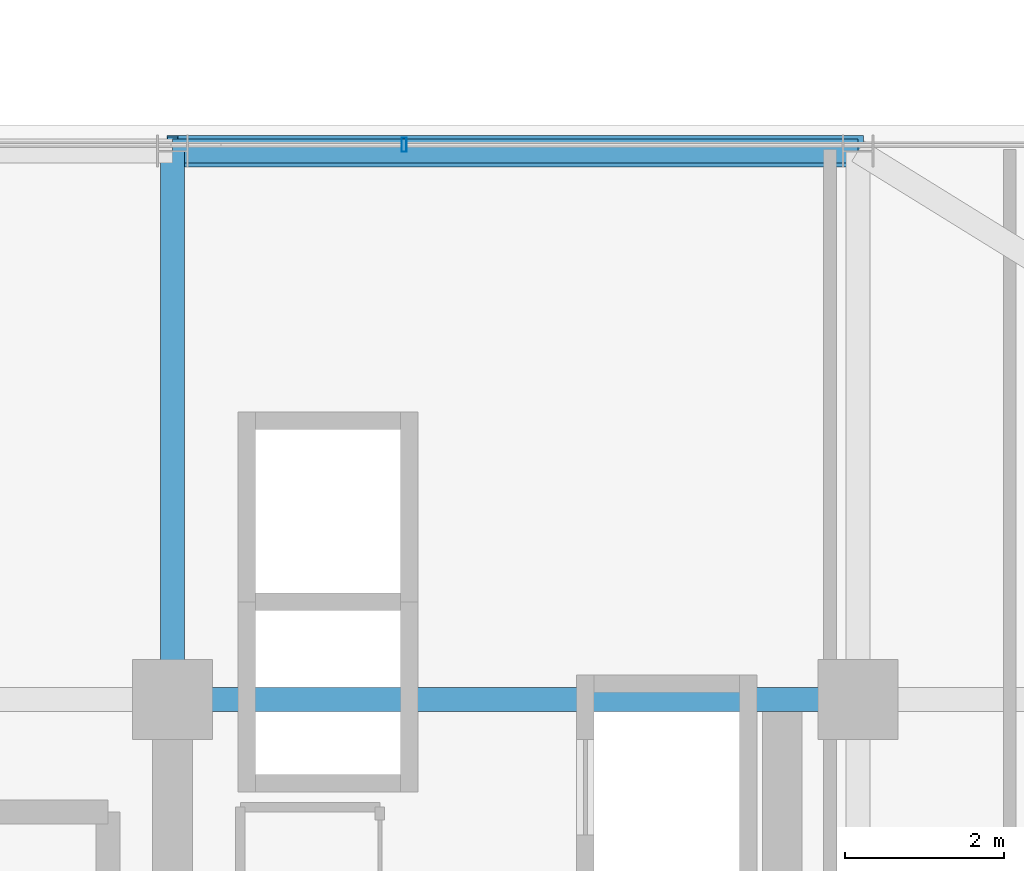
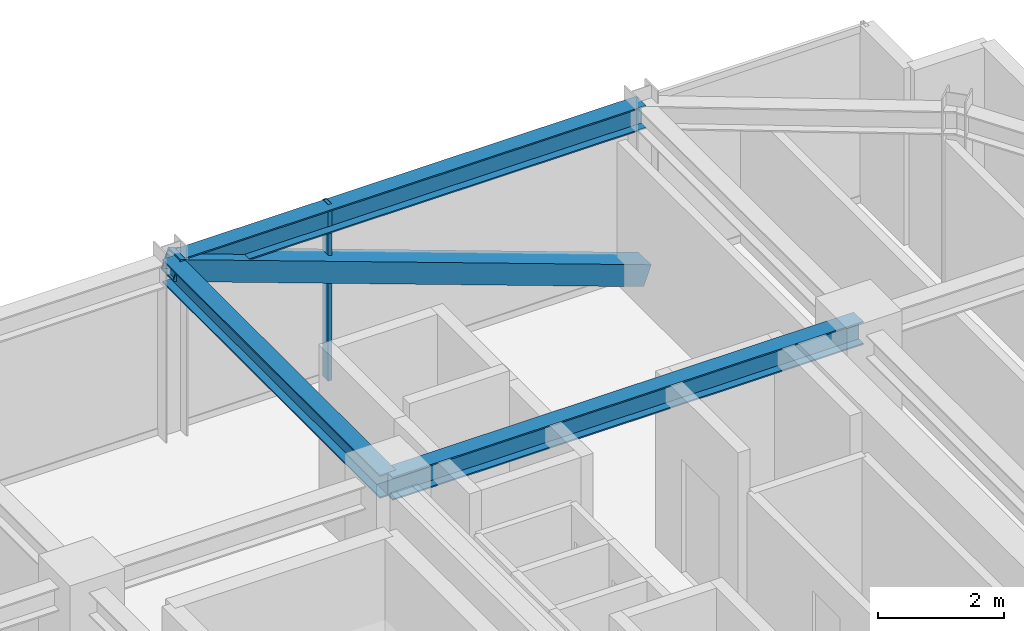
# One storey, part 26 of 36: 3 beams, 2 members, 1 element without a shape of its own.
"""IFC4 building model written with IfcOpenShell, lengths in metres."""

from ifc_helpers import new_model, si_unit, direction, frame, origin, origin_2d, place, context, subcontext, project, spatial, hollow_rectangle, i_section, extrude, source, transform, mapped, material, material_profile, profile_set, type_object, element, aggregate, save


model = new_model("IFC4")

# Units and contexts
model_context = context("Model", 3, precision=1e-05, world=origin(), true_north=direction((0.0, 1.0)))
body_context = subcontext(model_context, "Body", "Model", "MODEL_VIEW")
ifc_project = project(units=[si_unit("LENGTHUNIT", "METRE"), si_unit("AREAUNIT", "SQUARE_METRE"), si_unit("VOLUMEUNIT", "CUBIC_METRE"), si_unit("PLANEANGLEUNIT", "RADIAN"), si_unit("MASSUNIT", "GRAM", prefix="KILO")], contexts=[model_context])

# Site, building, storey
site_placement = place(None, origin())
site = spatial("IfcSite", under=ifc_project, at=site_placement, CompositionType="ELEMENT")
building_placement = place(site_placement, origin())
building = spatial("IfcBuilding", under=site, at=building_placement, Name="Nahalor Promenade Grand Hotel", CompositionType="ELEMENT")
storey_placement = place(building_placement, frame((0.0, 0.0, 234.5)))
storey = spatial("IfcBuildingStorey", under=building, at=storey_placement, Name="L60", CompositionType="ELEMENT", Elevation=234.5)

# Beams
ifc_material_1 = material(Name="Steel S355JR", Category="steel")
ifc_material_profile_1 = material_profile(ifc_material_1, i_section(OverallWidth=0.3, OverallDepth=0.45, WebThickness=0.014, FlangeThickness=0.026, at=origin_2d()), Name="HEB 450")
ifc_profile_set_1 = profile_set([ifc_material_profile_1], Name="Steel S355JR")
beam_type_1 = type_object("IfcBeamType", Name="Beam-Spandrel-HEB450", PredefinedType="SPANDREL", material=ifc_profile_set_1)
shared_shape_1 = source(origin(), body_context, "Body", "SweptSolid", [
    extrude(i_section(OverallWidth=0.3, OverallDepth=0.45, WebThickness=0.014, FlangeThickness=0.026, at=origin_2d()), origin(), (0.0, 0.0, 1.0), 8.60009765625),
])
beam_1_placement = place(storey_placement, frame((8.39990234375, 23.8798828125, 3.18505859375), z_axis=(1.0, 0.0, 0.0), x_axis=(0.0, 1.0, 0.0)))
element("IfcBeam", 1, at=beam_1_placement, inside=storey, type_object=beam_type_1, Name="BM-L60-SP-N-4", PredefinedType="SPANDREL", context=body_context, shape_type="MappedRepresentation", body=[
    mapped(shared_shape_1, transform((0.0, 0.0, 0.0), scale=1.0)),
])
ifc_material_profile_2 = material_profile(ifc_material_1, i_section(OverallWidth=0.3, OverallDepth=0.45, WebThickness=0.014, FlangeThickness=0.026, at=origin_2d()), Name="HEB 450")
ifc_profile_set_2 = profile_set([ifc_material_profile_2], Name="Steel S355JR")
beam_type_2 = type_object("IfcBeamType", Name="Beam-Girder-HEB450", PredefinedType="BEAM", material=ifc_profile_set_2)
shared_shape_2 = source(origin(), body_context, "Body", "SweptSolid", [
    extrude(i_section(OverallWidth=0.3, OverallDepth=0.45, WebThickness=0.014, FlangeThickness=0.026, at=origin_2d()), origin(), (0.0, 0.0, 1.0), 6.8798828125),
])
beam_2_placement = place(storey_placement, frame((8.39990234375, 17.0, 3.18505859375), z_axis=(0.0, 1.0, 0.0), x_axis=(-1.0, 0.0, 0.0)))
element("IfcBeam", 2, at=beam_2_placement, inside=storey, type_object=beam_type_2, Name="BM-L60-GY-4-4", PredefinedType="BEAM", context=body_context, shape_type="MappedRepresentation", body=[
    mapped(shared_shape_2, transform((0.0, 0.0, 0.0), scale=1.0)),
])
shared_shape_3 = source(origin(), body_context, "Body", "SweptSolid", [
    extrude(i_section(OverallWidth=0.3, OverallDepth=0.45, WebThickness=0.014, FlangeThickness=0.026, at=origin_2d()), origin(), (0.0, 0.0, 1.0), 8.60009765625),
])
beam_3_placement = place(storey_placement, frame((8.39990234375, 17.0, 3.18505859375), z_axis=(1.0, 0.0, 0.0), x_axis=(0.0, 1.0, 0.0)))
element("IfcBeam", 3, at=beam_3_placement, inside=storey, type_object=beam_type_2, Name="BM-L60-GX-3-5", PredefinedType="BEAM", context=body_context, shape_type="MappedRepresentation", body=[
    mapped(shared_shape_3, transform((0.0, 0.0, 0.0), scale=1.0)),
])

# Member
ifc_material_profile_3 = material_profile(ifc_material_1, hollow_rectangle(XDim=0.4, YDim=0.4, WallThickness=0.022, at=origin_2d()), Name="SHS 400x400x22")
ifc_profile_set_3 = profile_set([ifc_material_profile_3], Name="Steel S355JR")
member_type_1 = type_object("IfcMemberType", Name="Mem-ExoBrace-SHS400", PredefinedType="BRACE", material=ifc_profile_set_3)
shared_shape_4 = source(origin(), body_context, "Body", "SweptSolid", [
    extrude(hollow_rectangle(XDim=0.4, YDim=0.4, WallThickness=0.022, at=origin_2d()), origin(), (0.0, 0.0, 1.0), 9.145263671875),
])
member_1_placement = place(storey_placement, frame((17.0, 23.8798828125, 0.14990234375), z_axis=(-0.940396027132, 0.0, 0.340081331676), x_axis=(0.0, -1.0, 0.0)))
element("IfcMember", 4, at=member_1_placement, inside=storey, type_object=member_type_1, Name="EXO-L60-N-1", PredefinedType="BRACE", context=body_context, shape_type="MappedRepresentation", body=[
    mapped(shared_shape_4, transform((0.0, 0.0, 0.0), scale=1.0)),
])

# Curtain wall, member
ifc_material_2 = material(Name="Anodised Bronze Aluminium EN AW-6063 T6", Category="aluminium")
curtain_wall_type = type_object("IfcCurtainWallType", Name="CW2 Typical Hotel Flush Bronze Unitised Curtain Wall", PredefinedType="USERDEFINED", material=ifc_material_2)
curtain_wall_placement = place(storey_placement, origin())
curtain_wall = element("IfcCurtainWall", 5, at=curtain_wall_placement, inside=storey, type_object=curtain_wall_type, Name="L60 Curtain Wall CW-L60-N-3", ObjectType="UNITISED_CURTAIN_WALL", PredefinedType="USERDEFINED")
ifc_material_profile_4 = material_profile(ifc_material_2, hollow_rectangle(XDim=0.065, YDim=0.18, WallThickness=0.004, at=origin_2d()), Name="CWM 65x180x4")
ifc_profile_set_4 = profile_set([ifc_material_profile_4], Name="Anodised Bronze Aluminium EN AW-6063 T6")
member_type_2 = type_object("IfcMemberType", Name="CWM2 Typical Bronze Mullion 65x180", PredefinedType="MULLION", material=ifc_profile_set_4)
shared_shape_5 = source(origin(), body_context, "Body", "SweptSolid", [
    extrude(hollow_rectangle(XDim=0.065, YDim=0.18, WallThickness=0.004, at=origin_2d()), origin(), (0.0, 0.0, 1.0), 3.409912109375),
])
member_2_placement = place(storey_placement, frame((11.306640625, 23.9599609375, 0.0), z_axis=(0.0, 0.0, 1.0), x_axis=(1.0, 0.0, 0.0)))
member_2 = element("IfcMember", 6, at=member_2_placement, type_object=member_type_2, Name="CW-L60-N-3 Mullion 2", PredefinedType="MULLION", context=body_context, shape_type="MappedRepresentation", body=[
    mapped(shared_shape_5, transform((0.0, 0.0, 0.0), scale=1.0)),
])
aggregate(curtain_wall, [member_2])

save(model, "model.ifc")
